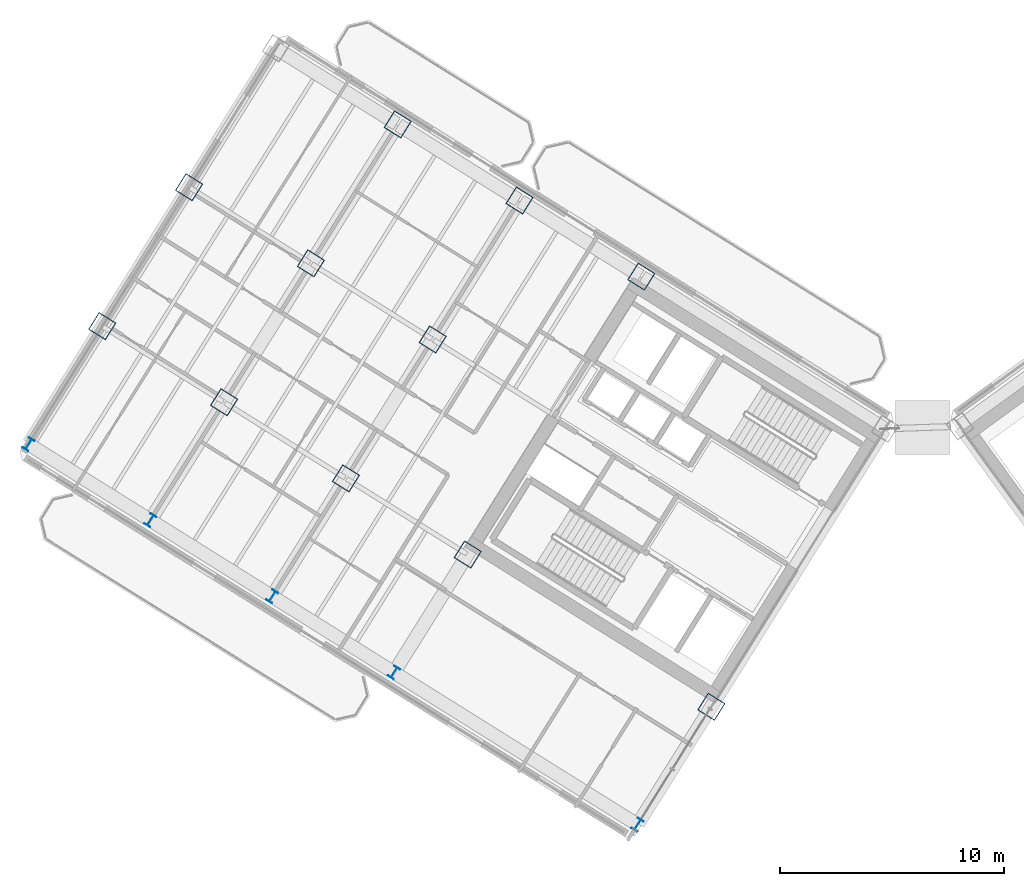
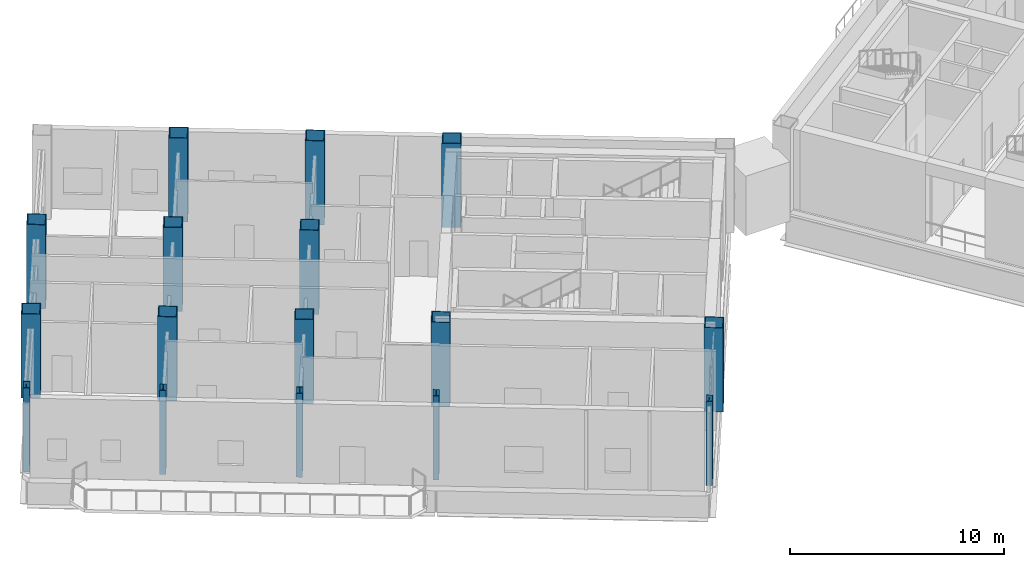
# One storey, part 1 of 22: 16 columns.
"""IFC4 building model written with IfcOpenShell, lengths in metres."""

import ifcopenshell
import ifcopenshell.guid

model = None  # the IFC model being written
_history = None  # IfcOwnerHistory: only IFC2X3 demands one
_inside = {}  # id of a spatial element -> (the spatial element, [elements in it])
_under = {}  # id of a project, library or spatial element -> (it, [spatial elements below it])
_declared = {}  # id of a project -> (the project, [libraries it declares])
_typed = {}  # id of a type object -> (the type object, [elements of that type])
_made_of = {}  # id of a material, layer set ... -> (it, [elements and type objects made of it])


def new_model(schema):
    """Start an empty IFC model of exactly this schema.

    Asked for "IFC4X3", IfcOpenShell would pick the latest addendum, in which some entities
    have other attributes; the version numbers below select the first issue.
    IFC2X3 requires an IfcOwnerHistory on every rooted entity: one is made here for all.
    """
    global model, _history
    if schema == "IFC4X3":
        model = ifcopenshell.file(schema_version=(4, 3, 0, 0))
    else:
        model = ifcopenshell.file(schema=schema)
    _inside.clear()
    _under.clear()
    _declared.clear()
    _typed.clear()
    _made_of.clear()
    _history = None
    if model.schema == "IFC2X3":
        org = make("IfcOrganization", Name="unknown")
        user = make(
            "IfcPersonAndOrganization",
            ThePerson=make("IfcPerson", FamilyName="unknown"),
            TheOrganization=org,
        )
        app = make(
            "IfcApplication",
            ApplicationDeveloper=org,
            Version="unknown",
            ApplicationFullName="unknown",
            ApplicationIdentifier="unknown",
        )
        _history = make(
            "IfcOwnerHistory",
            OwningUser=user,
            OwningApplication=app,
            ChangeAction="ADDED",
            CreationDate=0,
        )
    return model


def make(cls, **values):
    """One entity of the class cls with the attributes given. An attribute that is None is left unset."""
    return model.create_entity(
        cls, **{name: value for name, value in values.items() if value is not None}
    )


def rooted(cls, **values):
    """An entity with a GlobalId (a new one), such as an element, a storey or a relation."""
    return make(cls, GlobalId=ifcopenshell.guid.new(), OwnerHistory=_history, **values)


def si_unit(unit_type, name, prefix=None):
    """IfcSIUnit, for example si_unit("LENGTHUNIT", "METRE", prefix="MILLI")."""
    return make("IfcSIUnit", UnitType=unit_type, Prefix=prefix, Name=name)


def assignment(units):
    """IfcUnitAssignment: the units of a project."""
    return None if units is None else make("IfcUnitAssignment", Units=units)


def point(xyz):
    """IfcCartesianPoint."""
    return None if xyz is None else make("IfcCartesianPoint", Coordinates=xyz)


def direction(xyz):
    """IfcDirection."""
    return None if xyz is None else make("IfcDirection", DirectionRatios=xyz)


def frame(location, z_axis=None, x_axis=None):
    """IfcAxis2Placement3D, a coordinate frame: its origin and axes. An axis left out is left unset."""
    return make(
        "IfcAxis2Placement3D",
        Location=point(location),
        Axis=direction(z_axis),
        RefDirection=direction(x_axis),
    )


def frame_2d(location, x_axis=None):
    """IfcAxis2Placement2D, a coordinate frame in the plane: its origin and x axis."""
    return make(
        "IfcAxis2Placement2D", Location=point(location), RefDirection=direction(x_axis)
    )


def origin():
    """The frame at (0, 0, 0) with its axes left unset."""
    return frame((0.0, 0.0, 0.0))


def origin_2d():
    """The frame at (0, 0) in the plane with its x axis left unset."""
    return frame_2d((0.0, 0.0))


def place(relative_to, where):
    """IfcLocalPlacement: puts the frame where relative to a parent placement (None: the world)."""
    return make(
        "IfcLocalPlacement", PlacementRelTo=relative_to, RelativePlacement=where
    )


def context(
    kind, dimensions, precision=None, world=None, true_north=None, identifier=None
):
    """IfcGeometricRepresentationContext, for example the 3D "Model" context."""
    return make(
        "IfcGeometricRepresentationContext",
        ContextIdentifier=identifier,
        ContextType=kind,
        CoordinateSpaceDimension=dimensions,
        Precision=precision,
        WorldCoordinateSystem=world,
        TrueNorth=true_north,
    )


def subcontext(parent, identifier, kind, view, scale=None):
    """IfcGeometricRepresentationSubContext, for example "Body" below "Model"."""
    return make(
        "IfcGeometricRepresentationSubContext",
        ContextIdentifier=identifier,
        ContextType=kind,
        ParentContext=parent,
        TargetScale=scale,
        TargetView=view,
    )


def project(units=None, contexts=None):
    """IfcProject with its units and contexts."""
    return rooted(
        "IfcProject",
        Name="project",
        RepresentationContexts=contexts,
        UnitsInContext=assignment(units),
    )


def spatial(cls, under=None, at=None, **own):
    """A site, building, storey or space (cls), placed at a placement, below another one or the project."""
    s = rooted(cls, ObjectPlacement=at, **own)
    if under is not None:
        _under.setdefault(under.id(), (under, []))[1].append(s)
    return s


def profile(cls, at=None, kind="AREA", **sizes):
    """A parametric profile (cls). Its sizes go by their IFC names, for example OverallWidth=200.0."""
    return make(cls, ProfileType=kind, Position=at, **sizes)


def hollow_rectangle(**sizes):
    """IfcRectangleHollowProfileDef."""
    return profile("IfcRectangleHollowProfileDef", **sizes)


def i_section(**sizes):
    """IfcIShapeProfileDef."""
    return profile("IfcIShapeProfileDef", **sizes)


def extrude(swept, where, along, depth):
    """IfcExtrudedAreaSolid: the profile swept, set in the frame where, extruded along a direction by depth."""
    return make(
        "IfcExtrudedAreaSolid",
        SweptArea=swept,
        Position=where,
        ExtrudedDirection=direction(along),
        Depth=depth,
    )


def shape(context_of_items, identifier, shape_type, items):
    """IfcShapeRepresentation: the items that make up one representation, for example the "Body"."""
    return make(
        "IfcShapeRepresentation",
        ContextOfItems=context_of_items,
        RepresentationIdentifier=identifier,
        RepresentationType=shape_type,
        Items=items,
    )


def source(mapping_origin, context_of_items, identifier, shape_type, items):
    """IfcRepresentationMap: a shape defined once, which mapped items show again and again."""
    return make(
        "IfcRepresentationMap",
        MappingOrigin=mapping_origin,
        MappedRepresentation=shape(context_of_items, identifier, shape_type, items),
    )


def transform(
    local_origin,
    x_axis=None,
    y_axis=None,
    z_axis=None,
    scale=None,
    scale2=None,
    scale3=None,
    uniform=True,
):
    """IfcCartesianTransformationOperator3D, or its non-uniform kind. x_axis, y_axis, z_axis: its Axis1, 2, 3."""
    if uniform:
        return make(
            "IfcCartesianTransformationOperator3D",
            Axis1=direction(x_axis),
            Axis2=direction(y_axis),
            LocalOrigin=point(local_origin),
            Scale=scale,
            Axis3=direction(z_axis),
        )
    return make(
        "IfcCartesianTransformationOperator3DnonUniform",
        Axis1=direction(x_axis),
        Axis2=direction(y_axis),
        LocalOrigin=point(local_origin),
        Scale=scale,
        Axis3=direction(z_axis),
        Scale2=scale2,
        Scale3=scale3,
    )


def mapped(mapping_source, mapping_target):
    """IfcMappedItem: shows the shape of a source again, moved by a transform."""
    return make(
        "IfcMappedItem", MappingSource=mapping_source, MappingTarget=mapping_target
    )


def material(Name=None, Category=None):
    """IfcMaterial."""
    return make("IfcMaterial", Name=Name, Category=Category)


def material_profile(
    of_material, cross_section, Name=None, Category=None, Priority=None
):
    """IfcMaterialProfile: a cross section and its material."""
    return make(
        "IfcMaterialProfile",
        Name=Name,
        Material=of_material,
        Profile=cross_section,
        Priority=Priority,
        Category=Category,
    )


def profile_set(profiles, Name=None, composite=None):
    """IfcMaterialProfileSet."""
    return make(
        "IfcMaterialProfileSet",
        Name=Name,
        MaterialProfiles=profiles,
        CompositeProfile=composite,
    )


def made_of(thing, what):
    """Note that an element or type object is made of a material, layer set ...; save() writes the relation."""
    if what is not None:
        _made_of.setdefault(what.id(), (what, []))[1].append(thing)
    return thing


def type_object(cls, material=None, **own):
    """A type object (cls), such as IfcWallType, which elements share."""
    return made_of(rooted(cls, **own), material)


def element(
    cls,
    number,
    at=None,
    inside=None,
    cuts=None,
    type_object=None,
    material=None,
    context=None,
    identifier="Body",
    shape_type=None,
    held_by="IfcProductDefinitionShape",
    body=None,
    shapes=None,
    **own,
):
    """One element of the class cls, such as IfcWall. Its Tag is "e" and its number.

    at: its placement. inside: the storey or other place that contains it. cuts: it is an
    opening in that element (IfcRelVoidsElement). A single representation is given by context,
    identifier, shape_type and body (its items); several are given by shapes. held_by: the class
    of the entity that holds the representations. save() writes the other relations.
    """
    e = rooted(cls, Tag="e%d" % number, ObjectPlacement=at, **own)
    if body is not None:
        shapes = [shape(context, identifier, shape_type, body)]
    if shapes is not None:
        e.Representation = make(held_by, Representations=shapes)
    if inside is not None:
        _inside.setdefault(inside.id(), (inside, []))[1].append(e)
    if cuts is not None:
        rooted(
            "IfcRelVoidsElement", RelatingBuildingElement=cuts, RelatedOpeningElement=e
        )
    if type_object is not None:
        _typed.setdefault(type_object.id(), (type_object, []))[1].append(e)
    return made_of(e, material)


def aggregate(whole, parts):
    """IfcRelAggregates: a whole, such as a stair, and the parts it consists of."""
    return rooted("IfcRelAggregates", RelatingObject=whole, RelatedObjects=parts)


def save(model, path):
    """Write the relations noted so far, then the file.

    IfcRelAggregates (storeys below a building ...), IfcRelContainedInSpatialStructure (elements
    in a storey), IfcRelDefinesByType, IfcRelAssociatesMaterial and IfcRelDeclares: one each for
    every whole, place, type object, material and project.
    """
    for whole, parts in _under.values():
        aggregate(whole, parts)
    for where, things in _inside.values():
        rooted(
            "IfcRelContainedInSpatialStructure",
            RelatedElements=things,
            RelatingStructure=where,
        )
    for kind, things in _typed.values():
        rooted("IfcRelDefinesByType", RelatedObjects=things, RelatingType=kind)
    for what, things in _made_of.values():
        rooted("IfcRelAssociatesMaterial", RelatedObjects=things, RelatingMaterial=what)
    for by, libraries in _declared.values():
        rooted("IfcRelDeclares", RelatingContext=by, RelatedDefinitions=libraries)
    model.write(path)


model = new_model("IFC4")

# Units and contexts
model_context = context("Model", 3, precision=1e-05, world=origin(), true_north=direction((0.0, 1.0)))
body_context = subcontext(model_context, "Body", "Model", "MODEL_VIEW")
ifc_project = project(units=[si_unit("LENGTHUNIT", "METRE"), si_unit("AREAUNIT", "SQUARE_METRE"), si_unit("VOLUMEUNIT", "CUBIC_METRE"), si_unit("PLANEANGLEUNIT", "RADIAN"), si_unit("MASSUNIT", "GRAM", prefix="KILO")], contexts=[model_context])

# Site, building, storey
site_placement = place(None, origin())
site = spatial("IfcSite", under=ifc_project, at=site_placement, CompositionType="ELEMENT")
building_placement = place(site_placement, origin())
building = spatial("IfcBuilding", under=site, at=building_placement, Name="Tlacorven Tower", CompositionType="ELEMENT")
storey_placement = place(building_placement, frame((0.0, 0.0, 127.800048828125)))
storey = spatial("IfcBuildingStorey", under=building, at=storey_placement, Name="L32", CompositionType="ELEMENT", Elevation=127.800048828125)

# Columns
ifc_material = material(Name="Steel S460M", Category="steel")
ifc_material_profile_1 = material_profile(ifc_material, hollow_rectangle(XDim=0.89990234375, YDim=0.89990234375, WallThickness=0.035888671875, at=origin_2d()), Name="BOX 900X900X36")
ifc_profile_set_1 = profile_set([ifc_material_profile_1], Name="Steel S460M")
column_type_1 = type_object("IfcColumnType", Name="COL-TWR-S2", PredefinedType="COLUMN", material=ifc_profile_set_1)
shared_shape_1 = source(origin(), body_context, "Body", "SweptSolid", [
    extrude(hollow_rectangle(XDim=0.89990234375, YDim=0.89990234375, WallThickness=0.035888671875, at=origin_2d()), origin(), (0.0, 0.0, 1.0), 4.800048828125),
])
for number, where, z_axis, x_axis, name in (
    (1, (33.046142578125, 12.0869140625, 0.0), (0.0, 0.0, 1.0), (-0.848048096156, 0.529919264233, 0.0), "L32 column COL-L32-W1-3"),
    (2, (29.927978515625, 31.25146484375, 0.0), (0.0, 0.0, 1.0), (-0.848048096156, 0.529919264233, 0.0), "L32 column COL-L32-W3-1"),
    (3, (22.191162109375, 18.869873046875, 0.0), (0.0, 0.0, 1.0), (-0.848048096156, 0.529919264233, 0.0), "L32 column COL-L32-W3-3"),
    (4, (24.50048828125, 34.642822265625, 0.0), (0.0, 0.0, 1.0), (-0.848048096156, 0.529919264233, 0.0), "L32 column COL-L32-W4-1"),
    (5, (20.632080078125, 28.4521484375, 0.0), (0.0, 0.0, 1.0), (-0.848048096156, 0.529919264233, 0.0), "L32 column COL-L32-W4-2"),
    (6, (16.763671875, 22.26123046875, 0.0), (0.0, 0.0, 1.0), (-0.848048096156, 0.529919264233, 0.0), "L32 column COL-L32-W4-3"),
    (7, (19.072998046875, 38.034423828125, 0.0), (0.0, 0.0, 1.0), (-0.848048096156, 0.529919264233, 0.0), "L32 column COL-L32-W5-1"),
    (8, (15.20458984375, 31.843505859375, 0.0), (0.0, 0.0, 1.0), (-0.848048096156, 0.529919264233, 0.0), "L32 column COL-L32-W5-2"),
    (9, (11.336181640625, 25.65283203125, 0.0), (0.0, 0.0, 1.0), (-0.848048096156, 0.529919264233, 0.0), "L32 column COL-L32-W5-3"),
    (10, (9.777099609375, 35.235107421875, 0.0), (0.0, 0.0, 1.0), (-0.848048096156, 0.529919264233, 0.0), "L32 column COL-L32-W6-2"),
    (11, (5.90869140625, 29.044189453125, 0.0), (0.0, 0.0, 1.0), (-0.848048096156, 0.529919264233, 0.0), "L32 column COL-L32-W6-3"),
):
    element("IfcColumn", number, at=place(storey_placement, frame(where, z_axis=z_axis, x_axis=x_axis)), inside=storey, type_object=column_type_1, Name=name, PredefinedType="COLUMN", context=body_context, shape_type="MappedRepresentation", body=[
        mapped(shared_shape_1, transform((0.0, 0.0, 0.0), scale=1.0)),
    ])
ifc_material_profile_2 = material_profile(ifc_material, i_section(OverallWidth=0.300048828125, OverallDepth=0.550048828125, WebThickness=0.014892578125, FlangeThickness=0.029052734375, at=origin_2d()), Name="HEB 550")
ifc_profile_set_2 = profile_set([ifc_material_profile_2], Name="Steel S460M")
column_type_2 = type_object("IfcColumnType", Name="COL-TWR-P2", PredefinedType="COLUMN", material=ifc_profile_set_2)
shared_shape_2 = source(origin(), body_context, "Body", "SweptSolid", [
    extrude(i_section(OverallWidth=0.300048828125, OverallDepth=0.550048828125, WebThickness=0.014892578125, FlangeThickness=0.029052734375, at=origin_2d()), origin(), (0.0, 0.0, 1.0), 4.800048828125),
])
for number, where, z_axis, x_axis, name in (
    (12, (29.7607421875, 6.8291015625, 0.0), (0.0, 0.0, 1.0), (-0.848048096156, 0.529919264233, 0.0), "L32 column COL-L32-W1-4"),
    (13, (18.905517578125, 13.612060546875, 0.0), (0.0, 0.0, 1.0), (-0.848048096156, 0.529919264233, 0.0), "L32 column COL-L32-W3-4"),
    (14, (13.47802734375, 17.00341796875, 0.0), (0.0, 0.0, 1.0), (-0.848048096156, 0.529919264233, 0.0), "L32 column COL-L32-W4-4"),
    (15, (8.050537109375, 20.39501953125, 0.0), (0.0, 0.0, 1.0), (-0.848048096156, 0.529919264233, 0.0), "L32 column COL-L32-W5-4"),
    (16, (2.623046875, 23.786376953125, 0.0), (0.0, 0.0, 1.0), (-0.848048096156, 0.529919264233, 0.0), "L32 column COL-L32-W6-4"),
):
    element("IfcColumn", number, at=place(storey_placement, frame(where, z_axis=z_axis, x_axis=x_axis)), inside=storey, type_object=column_type_2, Name=name, PredefinedType="COLUMN", context=body_context, shape_type="MappedRepresentation", body=[
        mapped(shared_shape_2, transform((0.0, 0.0, 0.0), scale=1.0)),
    ])

save(model, "model.ifc")
